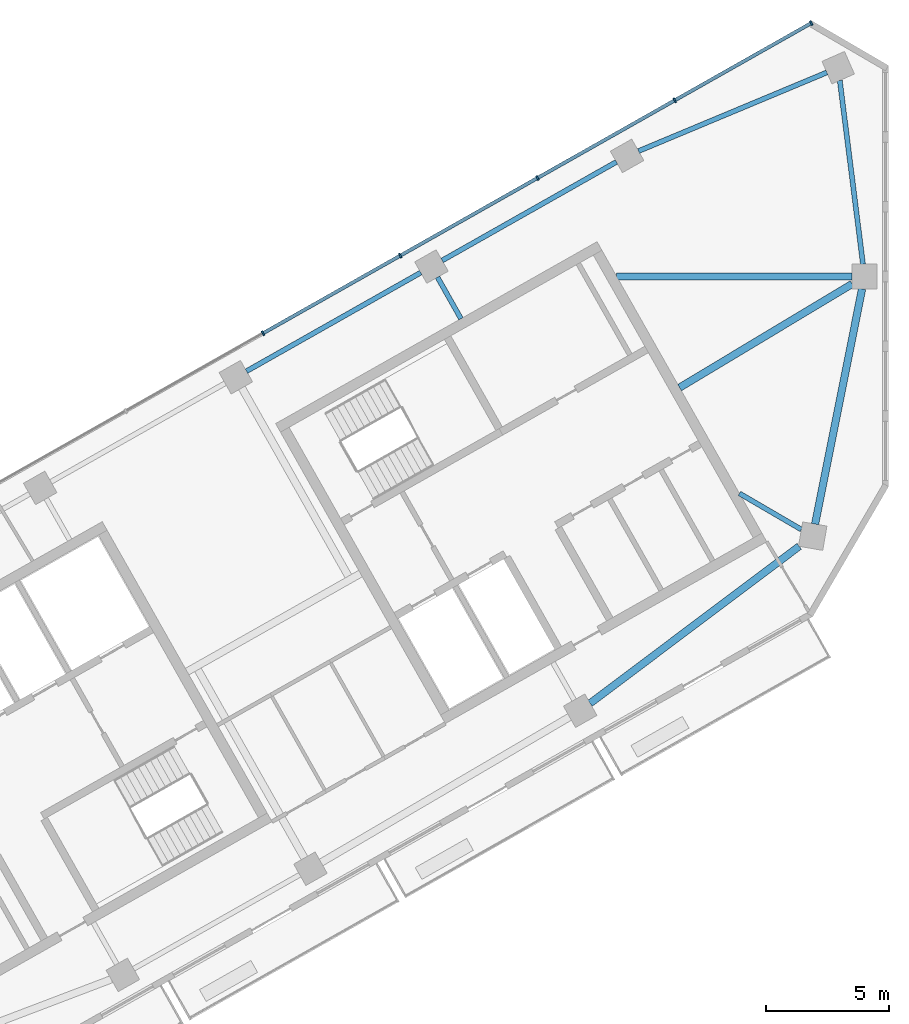
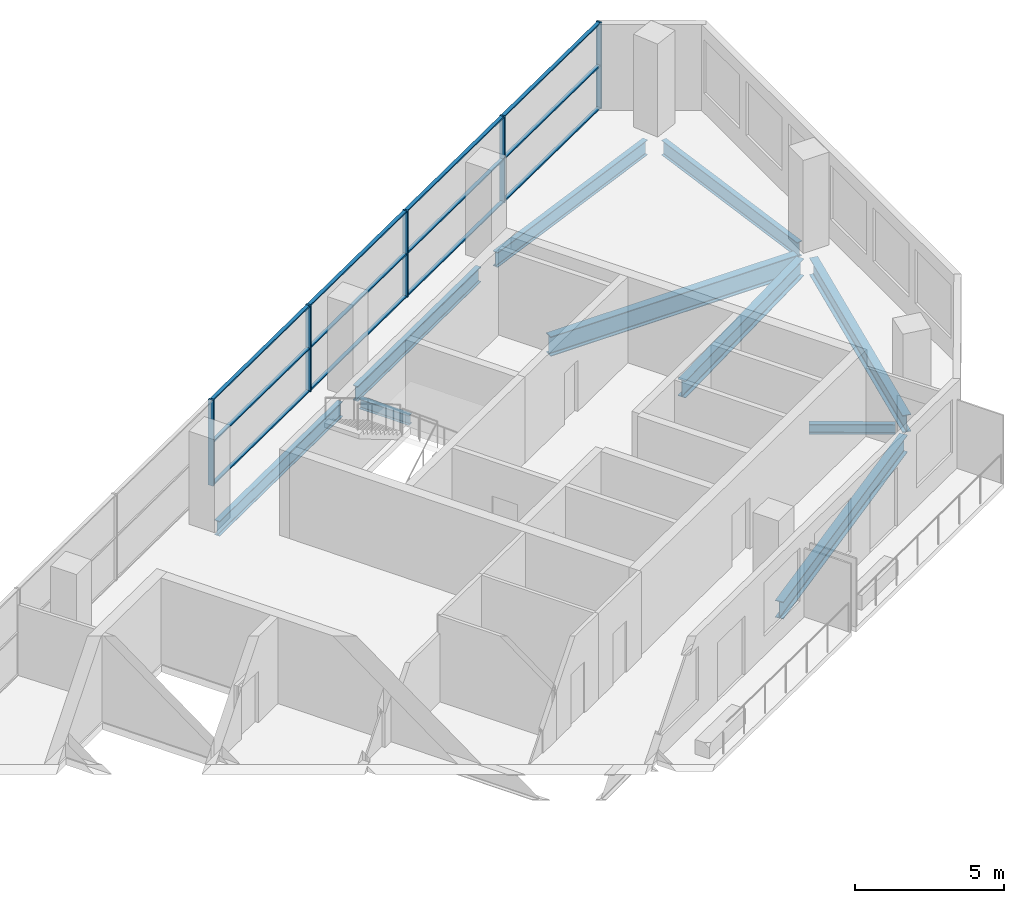
# One storey, part 4 of 10: 17 members, 10 beams, 1 element without a shape of its own.
"""IFC4 building model written with IfcOpenShell, lengths in metres."""

from ifc_helpers import new_model, si_unit, direction, frame, origin, origin_2d, place, context, subcontext, project, spatial, rectangle, i_section, extrude, material, material_profile, profile_set, type_object, element, aggregate, save


model = new_model("IFC4")

# Units and contexts
model_context = context("Model", 3, precision=1e-05, world=origin(), true_north=direction((0.0, 1.0)))
body_context = subcontext(model_context, "Body", "Model", "MODEL_VIEW")
ifc_project = project(units=[si_unit("LENGTHUNIT", "METRE"), si_unit("AREAUNIT", "SQUARE_METRE"), si_unit("VOLUMEUNIT", "CUBIC_METRE"), si_unit("PLANEANGLEUNIT", "RADIAN"), si_unit("MASSUNIT", "GRAM", prefix="KILO")], contexts=[model_context])

# Site, building, storey
site_placement = place(None, origin())
site = spatial("IfcSite", under=ifc_project, at=site_placement, CompositionType="ELEMENT")
building_placement = place(site_placement, origin())
building = spatial("IfcBuilding", under=site, at=building_placement, Name="Binnacle Exchange Tower", CompositionType="ELEMENT")
storey_placement = place(building_placement, frame((0.0, 0.0, 335.5)))
storey = spatial("IfcBuildingStorey", under=building, at=storey_placement, Name="L76", CompositionType="ELEMENT", Elevation=335.5)

# Curtain wall, members
ifc_material_1 = material(Name="Bronze anodised aluminium frame", Category="aluminium")
curtain_wall_type = type_object("IfcCurtainWallType", Name="External wall - curtain wall executive floors", PredefinedType="NOTDEFINED", material=ifc_material_1)
curtain_wall_placement = place(storey_placement, origin())
curtain_wall = element("IfcCurtainWall", 1, at=curtain_wall_placement, inside=storey, type_object=curtain_wall_type, Name="External wall curtain wall CW4-H03 L76", PredefinedType="NOTDEFINED")
ifc_material_profile_1 = material_profile(ifc_material_1, rectangle(XDim=0.199951171875, YDim=0.070068359375, at=origin_2d()), Name="AL 70x200")
ifc_profile_set_1 = profile_set([ifc_material_profile_1], Name="Bronze anodised aluminium frame")
member_type_1 = type_object("IfcMemberType", Name="CW4 MULLION 70x200", PredefinedType="MULLION", material=ifc_profile_set_1)
member_1_placement = place(storey_placement, frame((-3.01416015625, 70.294677734375, 0.0), z_axis=(0.0, 0.0, 1.0), x_axis=(0.492423763019, -0.870355581136, 0.0)))
member_1 = element("IfcMember", 2, at=member_1_placement, type_object=member_type_1, Name="CW4-H03 mullion 1", PredefinedType="MULLION", context=body_context, shape_type="SweptSolid", body=[
    extrude(rectangle(XDim=0.199951171875, YDim=0.070068359375, at=origin_2d()), origin(), (0.0, 0.0, 1.0), 3.52001953125),
])
member_2_placement = place(storey_placement, frame((-8.55859375, 67.15771484375, 0.0), z_axis=(0.0, 0.0, 1.0), x_axis=(0.492423763019, -0.870355581136, 0.0)))
member_2 = element("IfcMember", 3, at=member_2_placement, type_object=member_type_1, Name="CW4-H03 mullion 2", PredefinedType="MULLION", context=body_context, shape_type="SweptSolid", body=[
    extrude(rectangle(XDim=0.199951171875, YDim=0.070068359375, at=origin_2d()), origin(), (0.0, 0.0, 1.0), 3.52001953125),
])
member_3_placement = place(storey_placement, frame((-14.13330078125, 64.003662109375, 0.0), z_axis=(0.0, 0.0, 1.0), x_axis=(0.492423763019, -0.870355581136, 0.0)))
member_3 = element("IfcMember", 4, at=member_3_placement, type_object=member_type_1, Name="CW4-H03 mullion 3", PredefinedType="MULLION", context=body_context, shape_type="SweptSolid", body=[
    extrude(rectangle(XDim=0.199951171875, YDim=0.070068359375, at=origin_2d()), origin(), (0.0, 0.0, 1.0), 3.52001953125),
])
member_4_placement = place(storey_placement, frame((-19.708251953125, 60.849609375, 0.0), z_axis=(0.0, 0.0, 1.0), x_axis=(0.492423763019, -0.870355581136, 0.0)))
member_4 = element("IfcMember", 5, at=member_4_placement, type_object=member_type_1, Name="CW4-H03 mullion 4", PredefinedType="MULLION", context=body_context, shape_type="SweptSolid", body=[
    extrude(rectangle(XDim=0.199951171875, YDim=0.070068359375, at=origin_2d()), origin(), (0.0, 0.0, 1.0), 3.52001953125),
])
member_5_placement = place(storey_placement, frame((-25.283203125, 57.695556640625, 0.0), z_axis=(0.0, 0.0, 1.0), x_axis=(0.492423763019, -0.870355581136, 0.0)))
member_5 = element("IfcMember", 6, at=member_5_placement, type_object=member_type_1, Name="CW4-H03 mullion 5", PredefinedType="MULLION", context=body_context, shape_type="SweptSolid", body=[
    extrude(rectangle(XDim=0.199951171875, YDim=0.070068359375, at=origin_2d()), origin(), (0.0, 0.0, 1.0), 3.52001953125),
])
ifc_material_profile_2 = material_profile(ifc_material_1, rectangle(XDim=0.139892578125, YDim=0.050048828125, at=origin_2d()), Name="AL 140x50")
ifc_profile_set_2 = profile_set([ifc_material_profile_2], Name="Bronze anodised aluminium frame")
member_type_2 = type_object("IfcMemberType", Name="CW4 TRANSOM 50x140", PredefinedType="USERDEFINED", material=ifc_profile_set_2)
member_6_placement = place(storey_placement, frame((-3.044677734375, 70.27734375, 0.02490234375), z_axis=(-0.870359957561, -0.492416027637, 0.0), x_axis=(0.492416027637, -0.870359957561, 0.0)))
member_6 = element("IfcMember", 7, at=member_6_placement, type_object=member_type_2, Name="CW4-H03 transom 1.1", ObjectType="TRANSOM", PredefinedType="USERDEFINED", context=body_context, shape_type="SweptSolid", body=[
    extrude(rectangle(XDim=0.139892578125, YDim=0.050048828125, at=origin_2d()), origin(), (0.0, 0.0, 1.0), 6.300048828125),
])
member_7_placement = place(storey_placement, frame((-3.044677734375, 70.27734375, 1.760009765625), z_axis=(-0.870359957561, -0.492416027637, 0.0), x_axis=(0.492416027637, -0.870359957561, 0.0)))
member_7 = element("IfcMember", 8, at=member_7_placement, type_object=member_type_2, Name="CW4-H03 transom 1.2", ObjectType="TRANSOM", PredefinedType="USERDEFINED", context=body_context, shape_type="SweptSolid", body=[
    extrude(rectangle(XDim=0.139892578125, YDim=0.050048828125, at=origin_2d()), origin(), (0.0, 0.0, 1.0), 6.300048828125),
])
member_8_placement = place(storey_placement, frame((-3.044677734375, 70.27734375, 3.4951171875), z_axis=(-0.870359957561, -0.492416027637, 0.0), x_axis=(0.492416027637, -0.870359957561, 0.0)))
member_8 = element("IfcMember", 9, at=member_8_placement, type_object=member_type_2, Name="CW4-H03 transom 1.3", ObjectType="TRANSOM", PredefinedType="USERDEFINED", context=body_context, shape_type="SweptSolid", body=[
    extrude(rectangle(XDim=0.139892578125, YDim=0.050048828125, at=origin_2d()), origin(), (0.0, 0.0, 1.0), 6.300048828125),
])
member_9_placement = place(storey_placement, frame((-8.589111328125, 67.140625, 0.02490234375), z_axis=(-0.870355335808, -0.492424196633, 0.0), x_axis=(0.492424196633, -0.870355335808, 0.0)))
member_9 = element("IfcMember", 10, at=member_9_placement, type_object=member_type_2, Name="CW4-H03 transom 2.1", ObjectType="TRANSOM", PredefinedType="USERDEFINED", context=body_context, shape_type="SweptSolid", body=[
    extrude(rectangle(XDim=0.139892578125, YDim=0.050048828125, at=origin_2d()), origin(), (0.0, 0.0, 1.0), 6.335205078125),
])
member_10_placement = place(storey_placement, frame((-8.589111328125, 67.140625, 1.760009765625), z_axis=(-0.870355335808, -0.492424196633, 0.0), x_axis=(0.492424196633, -0.870355335808, 0.0)))
member_10 = element("IfcMember", 11, at=member_10_placement, type_object=member_type_2, Name="CW4-H03 transom 2.2", ObjectType="TRANSOM", PredefinedType="USERDEFINED", context=body_context, shape_type="SweptSolid", body=[
    extrude(rectangle(XDim=0.139892578125, YDim=0.050048828125, at=origin_2d()), origin(), (0.0, 0.0, 1.0), 6.335205078125),
])
member_11_placement = place(storey_placement, frame((-8.589111328125, 67.140625, 3.4951171875), z_axis=(-0.870355335808, -0.492424196633, 0.0), x_axis=(0.492424196633, -0.870355335808, 0.0)))
member_11 = element("IfcMember", 12, at=member_11_placement, type_object=member_type_2, Name="CW4-H03 transom 2.3", ObjectType="TRANSOM", PredefinedType="USERDEFINED", context=body_context, shape_type="SweptSolid", body=[
    extrude(rectangle(XDim=0.139892578125, YDim=0.050048828125, at=origin_2d()), origin(), (0.0, 0.0, 1.0), 6.335205078125),
])
member_12_placement = place(storey_placement, frame((-14.163818359375, 63.986328125, 0.02490234375), z_axis=(-0.870355335808, -0.492424196633, 0.0), x_axis=(0.492424196633, -0.870355335808, 0.0)))
member_12 = element("IfcMember", 13, at=member_12_placement, type_object=member_type_2, Name="CW4-H03 transom 3.1", ObjectType="TRANSOM", PredefinedType="USERDEFINED", context=body_context, shape_type="SweptSolid", body=[
    extrude(rectangle(XDim=0.139892578125, YDim=0.050048828125, at=origin_2d()), origin(), (0.0, 0.0, 1.0), 6.335205078125),
])
member_13_placement = place(storey_placement, frame((-14.163818359375, 63.986328125, 1.760009765625), z_axis=(-0.870355335808, -0.492424196633, 0.0), x_axis=(0.492424196633, -0.870355335808, 0.0)))
member_13 = element("IfcMember", 14, at=member_13_placement, type_object=member_type_2, Name="CW4-H03 transom 3.2", ObjectType="TRANSOM", PredefinedType="USERDEFINED", context=body_context, shape_type="SweptSolid", body=[
    extrude(rectangle(XDim=0.139892578125, YDim=0.050048828125, at=origin_2d()), origin(), (0.0, 0.0, 1.0), 6.335205078125),
])
member_14_placement = place(storey_placement, frame((-14.163818359375, 63.986328125, 3.4951171875), z_axis=(-0.870355335808, -0.492424196633, 0.0), x_axis=(0.492424196633, -0.870355335808, 0.0)))
member_14 = element("IfcMember", 15, at=member_14_placement, type_object=member_type_2, Name="CW4-H03 transom 3.3", ObjectType="TRANSOM", PredefinedType="USERDEFINED", context=body_context, shape_type="SweptSolid", body=[
    extrude(rectangle(XDim=0.139892578125, YDim=0.050048828125, at=origin_2d()), origin(), (0.0, 0.0, 1.0), 6.335205078125),
])
member_15_placement = place(storey_placement, frame((-19.73876953125, 60.832275390625, 0.02490234375), z_axis=(-0.870355335808, -0.492424196633, 0.0), x_axis=(0.492424196633, -0.870355335808, 0.0)))
member_15 = element("IfcMember", 16, at=member_15_placement, type_object=member_type_2, Name="CW4-H03 transom 4.1", ObjectType="TRANSOM", PredefinedType="USERDEFINED", context=body_context, shape_type="SweptSolid", body=[
    extrude(rectangle(XDim=0.139892578125, YDim=0.050048828125, at=origin_2d()), origin(), (0.0, 0.0, 1.0), 6.335205078125),
])
member_16_placement = place(storey_placement, frame((-19.73876953125, 60.832275390625, 1.760009765625), z_axis=(-0.870355335808, -0.492424196633, 0.0), x_axis=(0.492424196633, -0.870355335808, 0.0)))
member_16 = element("IfcMember", 17, at=member_16_placement, type_object=member_type_2, Name="CW4-H03 transom 4.2", ObjectType="TRANSOM", PredefinedType="USERDEFINED", context=body_context, shape_type="SweptSolid", body=[
    extrude(rectangle(XDim=0.139892578125, YDim=0.050048828125, at=origin_2d()), origin(), (0.0, 0.0, 1.0), 6.335205078125),
])
member_17_placement = place(storey_placement, frame((-19.73876953125, 60.832275390625, 3.4951171875), z_axis=(-0.870355335808, -0.492424196633, 0.0), x_axis=(0.492424196633, -0.870355335808, 0.0)))
member_17 = element("IfcMember", 18, at=member_17_placement, type_object=member_type_2, Name="CW4-H03 transom 4.3", ObjectType="TRANSOM", PredefinedType="USERDEFINED", context=body_context, shape_type="SweptSolid", body=[
    extrude(rectangle(XDim=0.139892578125, YDim=0.050048828125, at=origin_2d()), origin(), (0.0, 0.0, 1.0), 6.335205078125),
])
aggregate(curtain_wall, [member_1, member_2, member_3, member_4, member_5, member_6, member_7, member_8, member_9, member_10, member_11, member_12, member_13, member_14, member_15, member_16, member_17])

# Beams
ifc_material_2 = material(Name="Steel S355 (SHN355)", Category="steel")
ifc_material_profile_3 = material_profile(ifc_material_2, i_section(OverallWidth=0.200927734375, OverallDepth=0.60595703125, WebThickness=0.011962890625, FlangeThickness=0.02001953125, FilletRadius=0.02197265625, at=origin_2d()), Name="H 606x201x12x20")
ifc_profile_set_3 = profile_set([ifc_material_profile_3], Name="Steel S355 (SHN355)")
beam_type_1 = type_object("IfcBeamType", Name="Edge girder H 606x201x12x20 Steel S355 (SHN355)", PredefinedType="SPANDREL", material=ifc_profile_set_3)
beam_1_placement = place(storey_placement, frame((-0.9130859375, 60.5, -0.5830078125), z_axis=(-0.125172722987, 0.992134965325, 0.0), x_axis=(-0.992134965325, -0.125172722987, 0.0)))
element("IfcBeam", 19, at=beam_1_placement, inside=storey, type_object=beam_type_1, Name="S:BM:edge:L76:018", PredefinedType="SPANDREL", context=body_context, shape_type="SweptSolid", body=[
    extrude(i_section(OverallWidth=0.200927734375, OverallDepth=0.60595703125, WebThickness=0.011962890625, FlangeThickness=0.02001953125, FilletRadius=0.02197265625, at=origin_2d()), origin(), (0.0, 0.0, 1.0), 7.524658203125),
])
ifc_material_profile_4 = material_profile(ifc_material_2, i_section(OverallWidth=0.201904296875, OverallDepth=0.612060546875, WebThickness=0.012939453125, FlangeThickness=0.02294921875, FilletRadius=0.02197265625, at=origin_2d()), Name="H 612x202x13x23")
ifc_profile_set_4 = profile_set([ifc_material_profile_4], Name="Steel S355 (SHN355)")
beam_type_2 = type_object("IfcBeamType", Name="Edge girder H 612x202x13x23 Steel S355 (SHN355)", PredefinedType="SPANDREL", material=ifc_profile_set_4)
beam_2_placement = place(storey_placement, frame((-18.87646484375, 60.159912109375, -0.5859375), z_axis=(-0.870353024448, -0.49242828192, 0.0), x_axis=(0.49242828192, -0.870353024448, 0.0)))
element("IfcBeam", 20, at=beam_2_placement, inside=storey, type_object=beam_type_2, Name="S:BM:edge:L76:013", PredefinedType="SPANDREL", context=body_context, shape_type="SweptSolid", body=[
    extrude(i_section(OverallWidth=0.201904296875, OverallDepth=0.612060546875, WebThickness=0.012939453125, FlangeThickness=0.02294921875, FilletRadius=0.02197265625, at=origin_2d()), origin(), (0.0, 0.0, 1.0), 8.1298828125),
])
beam_3_placement = place(storey_placement, frame((-10.930419921875, 64.655517578125, -0.5859375), z_axis=(-0.870345742373, -0.492441152558, 0.0), x_axis=(0.492441152558, -0.870345742373, 0.0)))
element("IfcBeam", 21, at=beam_3_placement, inside=storey, type_object=beam_type_2, Name="S:BM:edge:L76:015", PredefinedType="SPANDREL", context=body_context, shape_type="SweptSolid", body=[
    extrude(i_section(OverallWidth=0.201904296875, OverallDepth=0.612060546875, WebThickness=0.012939453125, FlangeThickness=0.02294921875, FilletRadius=0.02197265625, at=origin_2d()), origin(), (0.0, 0.0, 1.0), 8.129638671875),
])
beam_4_placement = place(storey_placement, frame((-2.381591796875, 68.29052734375, -0.5859375), z_axis=(-0.922743712975, -0.385414115161, 0.0), x_axis=(0.385414115161, -0.922743712975, 0.0)))
element("IfcBeam", 22, at=beam_4_placement, inside=storey, type_object=beam_type_2, Name="S:BM:edge:L76:017", PredefinedType="SPANDREL", context=body_context, shape_type="SweptSolid", body=[
    extrude(i_section(OverallWidth=0.201904296875, OverallDepth=0.612060546875, WebThickness=0.012939453125, FlangeThickness=0.02294921875, FilletRadius=0.02197265625, at=origin_2d()), origin(), (0.0, 0.0, 1.0), 8.289306640625),
])
ifc_material_profile_5 = material_profile(ifc_material_2, i_section(OverallWidth=0.300048828125, OverallDepth=0.699951171875, WebThickness=0.012939453125, FlangeThickness=0.02392578125, FilletRadius=0.028076171875, at=origin_2d()), Name="H 700x300x13x24")
ifc_profile_set_5 = profile_set([ifc_material_profile_5], Name="Steel S355 (SHN355)")
beam_type_3 = type_object("IfcBeamType", Name="Edge girder H 700x300x13x24 Steel S355 (SHN355)", PredefinedType="SPANDREL", material=ifc_profile_set_5)
beam_5_placement = place(storey_placement, frame((-11.996826171875, 42.666015625, -0.6298828125), z_axis=(0.799641252976, 0.600478031687, 0.0), x_axis=(-0.600478031687, 0.799641252976, 0.0)))
element("IfcBeam", 23, at=beam_5_placement, inside=storey, type_object=beam_type_3, Name="S:BM:edge:L76:014", PredefinedType="SPANDREL", context=body_context, shape_type="SweptSolid", body=[
    extrude(i_section(OverallWidth=0.300048828125, OverallDepth=0.699951171875, WebThickness=0.012939453125, FlangeThickness=0.02392578125, FilletRadius=0.028076171875, at=origin_2d()), origin(), (0.0, 0.0, 1.0), 10.62060546875),
])
beam_6_placement = place(storey_placement, frame((-2.857421875, 49.946044921875, -0.6298828125), z_axis=(0.195812523993, 0.98064134904, 0.0), x_axis=(-0.98064134904, 0.195812523993, 0.0)))
element("IfcBeam", 24, at=beam_6_placement, inside=storey, type_object=beam_type_3, Name="S:BM:edge:L76:016", PredefinedType="SPANDREL", context=body_context, shape_type="SweptSolid", body=[
    extrude(i_section(OverallWidth=0.300048828125, OverallDepth=0.699951171875, WebThickness=0.012939453125, FlangeThickness=0.02392578125, FilletRadius=0.028076171875, at=origin_2d()), origin(), (0.0, 0.0, 1.0), 9.74267578125),
])
ifc_material_profile_6 = material_profile(ifc_material_2, i_section(OverallWidth=0.199951171875, OverallDepth=0.39990234375, WebThickness=0.008056640625, FlangeThickness=0.012939453125, FilletRadius=0.01611328125, at=origin_2d()), Name="H 400x200x8x13")
ifc_profile_set_6 = profile_set([ifc_material_profile_6], Name="Steel S355 (SHN355)")
beam_type_4 = type_object("IfcBeamType", Name="Floor beam H 400x200x8x13 Steel S355 (SHN355)", PredefinedType="BEAM", material=ifc_profile_set_6)
beam_7_placement = place(storey_placement, frame((-18.195068359375, 59.970703125, -0.47998046875), z_axis=(0.492423244016, -0.870355874773, 0.0), x_axis=(0.870355874773, 0.492423244016, 0.0)))
element("IfcBeam", 25, at=beam_7_placement, inside=storey, type_object=beam_type_4, Name="S:BM:cross:L76:026", PredefinedType="BEAM", context=body_context, shape_type="SweptSolid", body=[
    extrude(i_section(OverallWidth=0.199951171875, OverallDepth=0.39990234375, WebThickness=0.008056640625, FlangeThickness=0.012939453125, FilletRadius=0.01611328125, at=origin_2d()), origin(), (0.0, 0.0, 1.0), 1.93408203125),
])
beam_8_placement = place(storey_placement, frame((-3.416259765625, 49.72412109375, -0.47998046875), z_axis=(-0.86381235495, 0.503813671346, 0.0), x_axis=(-0.503813671346, -0.86381235495, 0.0)))
element("IfcBeam", 26, at=beam_8_placement, inside=storey, type_object=beam_type_4, Name="S:BM:cross:L76:028", PredefinedType="BEAM", context=body_context, shape_type="SweptSolid", body=[
    extrude(i_section(OverallWidth=0.199951171875, OverallDepth=0.39990234375, WebThickness=0.008056640625, FlangeThickness=0.012939453125, FilletRadius=0.01611328125, at=origin_2d()), origin(), (0.0, 0.0, 1.0), 2.911376953125),
])
ifc_material_profile_7 = material_profile(ifc_material_2, i_section(OverallWidth=0.300048828125, OverallDepth=0.800048828125, WebThickness=0.013916015625, FlangeThickness=0.02587890625, FilletRadius=0.028076171875, at=origin_2d()), Name="H 800x300x14x26")
ifc_profile_set_7 = profile_set([ifc_material_profile_7], Name="Steel S355 (SHN355)")
beam_type_5 = type_object("IfcBeamType", Name="Floor beam H 800x300x14x26 Steel S355 (SHN355)", PredefinedType="BEAM", material=ifc_profile_set_7)
beam_9_placement = place(storey_placement, frame((-1.35009765625, 60.0, -0.679931640625), z_axis=(-1.0, 0.0, 0.0), x_axis=(0.0, -1.0, 0.0)))
element("IfcBeam", 27, at=beam_9_placement, inside=storey, type_object=beam_type_5, Name="S:BM:cross:L76:029", PredefinedType="BEAM", context=body_context, shape_type="SweptSolid", body=[
    extrude(i_section(OverallWidth=0.300048828125, OverallDepth=0.800048828125, WebThickness=0.013916015625, FlangeThickness=0.02587890625, FilletRadius=0.028076171875, at=origin_2d()), origin(), (0.0, 0.0, 1.0), 9.56494140625),
])
ifc_material_profile_8 = material_profile(ifc_material_2, i_section(OverallWidth=0.300048828125, OverallDepth=0.699951171875, WebThickness=0.012939453125, FlangeThickness=0.02392578125, FilletRadius=0.028076171875, at=origin_2d()), Name="H 700x300x13x24")
ifc_profile_set_8 = profile_set([ifc_material_profile_8], Name="Steel S355 (SHN355)")
beam_type_6 = type_object("IfcBeamType", Name="Spine girder H 700x300x13x24 Steel S355 (SHN355)", PredefinedType="BEAM", material=ifc_profile_set_8)
beam_10_placement = place(storey_placement, frame((-8.36328125, 55.489990234375, -0.6298828125), z_axis=(0.857382296764, 0.514680092091, 0.0), x_axis=(-0.514680092091, 0.857382296764, 0.0)))
element("IfcBeam", 28, at=beam_10_placement, inside=storey, type_object=beam_type_6, Name="S:BM:spine:L76:003", PredefinedType="BEAM", context=body_context, shape_type="SweptSolid", body=[
    extrude(i_section(OverallWidth=0.300048828125, OverallDepth=0.699951171875, WebThickness=0.012939453125, FlangeThickness=0.02392578125, FilletRadius=0.028076171875, at=origin_2d()), origin(), (0.0, 0.0, 1.0), 8.1796875),
])

save(model, "model.ifc")
